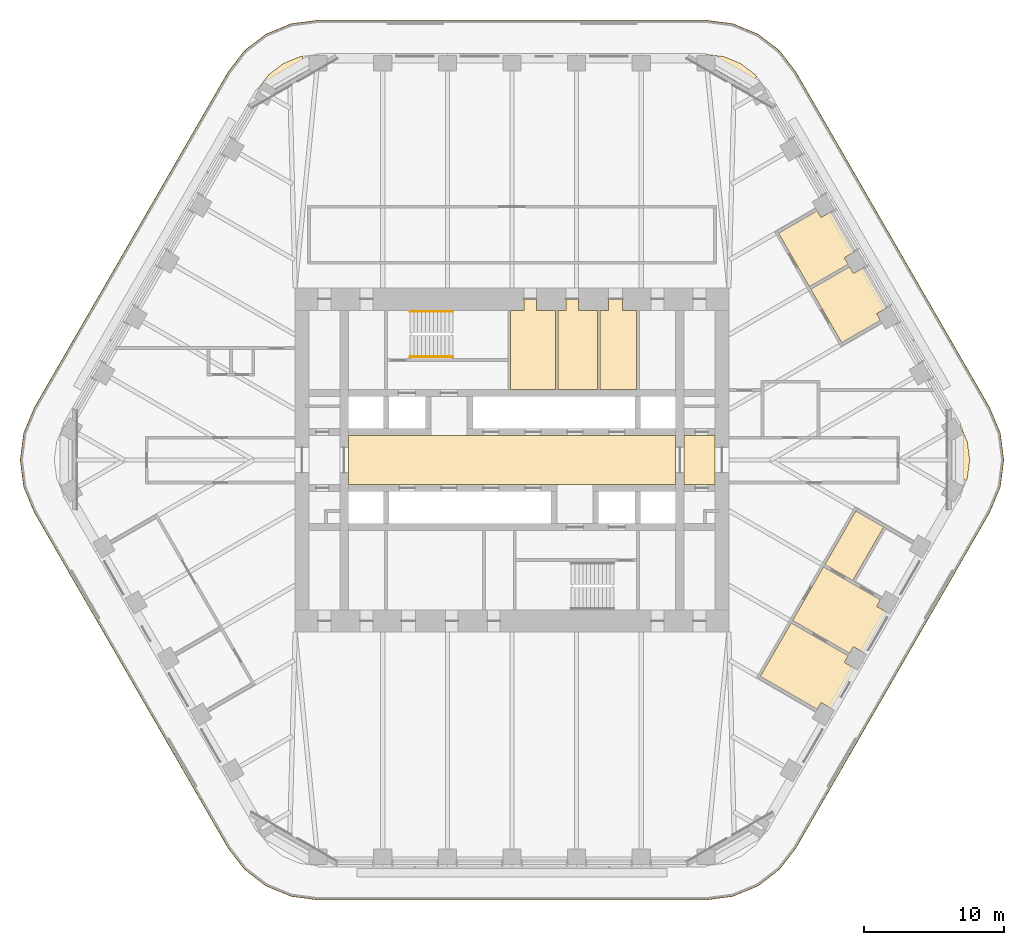
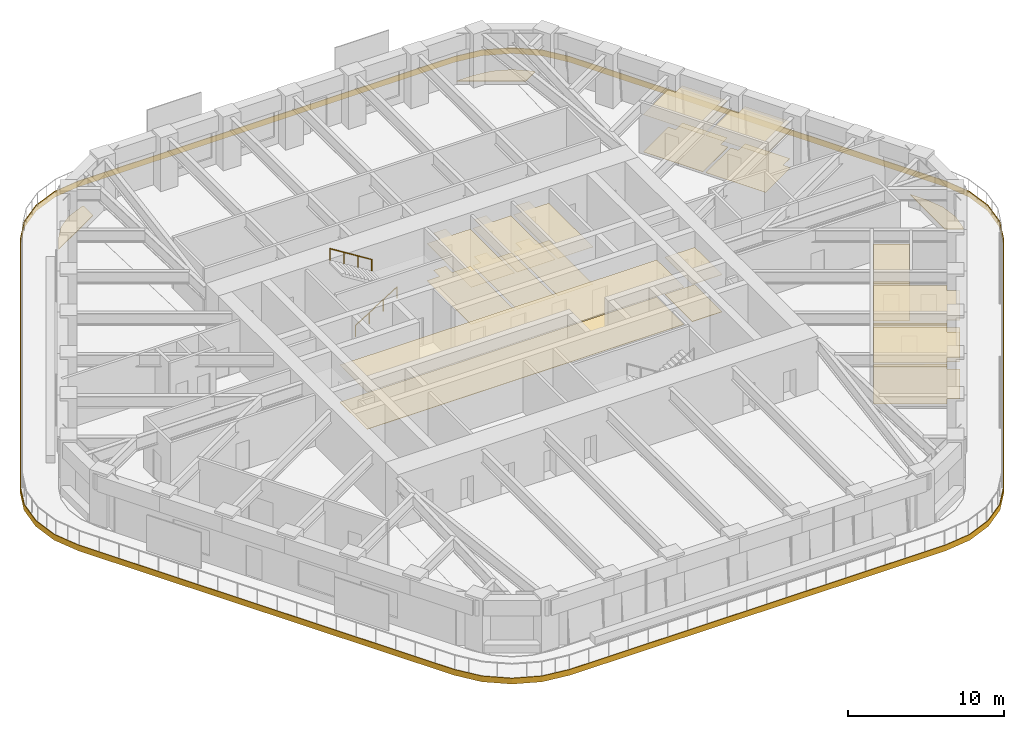
# One storey, part 19 of 20: 16 coverings, 2 railings.
"""IFC4 building model written with IfcOpenShell, lengths in metres."""

from ifc_helpers import new_model, si_unit, direction, frame, origin, origin_2d, place, context, subcontext, project, spatial, polyline, circle, outline, extrude, material, layer, layer_set, type_object, element, save


model = new_model("IFC4")

# Units and contexts
model_context = context("Model", 3, precision=1e-05, world=origin(), true_north=direction((0.0, 1.0)))
body_context = subcontext(model_context, "Body", "Model", "MODEL_VIEW")
ifc_project = project(units=[si_unit("LENGTHUNIT", "METRE"), si_unit("AREAUNIT", "SQUARE_METRE"), si_unit("VOLUMEUNIT", "CUBIC_METRE"), si_unit("PLANEANGLEUNIT", "RADIAN"), si_unit("MASSUNIT", "GRAM", prefix="KILO")], contexts=[model_context])

# Site, building, storey
site_placement = place(None, origin())
site = spatial("IfcSite", under=ifc_project, at=site_placement, CompositionType="ELEMENT")
building_placement = place(site_placement, origin())
building = spatial("IfcBuilding", under=site, at=building_placement, Name="Tarfa Lantern Tower", CompositionType="ELEMENT")
storey_placement = place(building_placement, frame((0.0, 0.0, 253.300048828125)))
storey = spatial("IfcBuildingStorey", under=building, at=storey_placement, Name="L57", CompositionType="ELEMENT", Elevation=253.300048828125)

# Coverings
ifc_material_1 = material(Name="Mineral fibre acoustic tile on suspension grid", Category="finish")
ifc_layer_1 = layer(ifc_material_1, 0.02001953125)
ifc_layer_set_1 = layer_set([ifc_layer_1], Name="CL1 ACOUSTIC TILE CEILING 20")
covering_type_1 = type_object("IfcCoveringType", Name="CL1 ACOUSTIC TILE CEILING 20", PredefinedType="CEILING", material=ifc_layer_set_1)
covering_1_placement = place(storey_placement, frame((0.0, 0.0, 2.89990234375)))
element("IfcCovering", 1, at=covering_1_placement, inside=storey, type_object=covering_type_1, Name="Ceiling L57 CL1", PredefinedType="CEILING", context=body_context, shape_type="SweptSolid", body=[
    extrude(outline(polyline([(21.354248046875, 12.21337890625), (24.12548828125, 13.8134765625), (24.400390625, 13.337158203125), (25.13671875, 13.761962890625), (26.796142578125, 10.887939453125), (26.059814453125, 10.462890625), (26.3349609375, 9.986572265625), (23.563720703125, 8.38671875), (21.354248046875, 12.21337890625)])), origin(), (0.0, 0.0, 1.0), 0.02001953125),
    extrude(outline(polyline([(19.044921875, 16.21337890625), (21.816162109375, 17.8134765625), (22.091064453125, 17.337158203125), (22.8271484375, 17.761962890625), (24.486572265625, 14.887939453125), (23.75048828125, 14.462890625), (24.025390625, 13.986572265625), (21.254150390625, 12.38671875), (19.044921875, 16.21337890625)])), origin(), (0.0, 0.0, 1.0), 0.02001953125),
    extrude(outline(polyline([(19.955078125, -11.63671875), (24.025390625, -13.986572265625), (23.75048828125, -14.462890625), (24.486572265625, -14.887939453125), (22.8271484375, -17.761962890625), (22.091064453125, -17.337158203125), (21.816162109375, -17.8134765625), (17.745849609375, -15.46337890625), (19.955078125, -11.63671875)])), origin(), (0.0, 0.0, 1.0), 0.02001953125),
    extrude(outline(polyline([(22.2646484375, -7.63671875), (26.3349609375, -9.986572265625), (26.059814453125, -10.462890625), (26.796142578125, -10.887939453125), (25.13671875, -13.761962890625), (24.400390625, -13.337158203125), (24.12548828125, -13.8134765625), (20.05517578125, -11.46337890625), (22.2646484375, -7.63671875)])), origin(), (0.0, 0.0, 1.0), 0.02001953125),
    extrude(outline(polyline([(24.573974609375, -3.63671875), (26.56591796875, -4.78662109375), (24.3564453125, -8.61328125), (22.364501953125, -7.46337890625), (24.573974609375, -3.63671875)])), origin(), (0.0, 0.0, 1.0), 0.02001953125),
])
ifc_material_2 = material(Name="Moisture-resistant plasterboard", Category="finish")
ifc_layer_2 = layer(ifc_material_2, 0.014892578125)
ifc_layer_set_2 = layer_set([ifc_layer_2], Name="CL2 MOISTURE-RESISTANT PLASTERBOARD CEILING 15")
covering_type_2 = type_object("IfcCoveringType", Name="CL2 MOISTURE-RESISTANT PLASTERBOARD CEILING 15", PredefinedType="CEILING", material=ifc_layer_set_2)
covering_2_placement = place(storey_placement, frame((0.0, 0.0, 2.89990234375)))
element("IfcCovering", 2, at=covering_2_placement, inside=storey, type_object=covering_type_2, Name="Ceiling L57-07", PredefinedType="CEILING", context=body_context, shape_type="SweptSolid", body=[
    extrude(outline(polyline([(0.85009765625, 10.699951171875), (-0.10009765625, 10.699951171875), (-0.10009765625, 5.050048828125), (3.10009765625, 5.050048828125), (3.10009765625, 10.699951171875), (1.75, 10.699951171875), (1.75, 11.5), (0.85009765625, 11.5), (0.85009765625, 10.699951171875)])), origin(), (0.0, 0.0, 1.0), 0.01513671875),
])
covering_3_placement = place(storey_placement, frame((0.0, 0.0, 2.89990234375)))
element("IfcCovering", 3, at=covering_3_placement, inside=storey, type_object=covering_type_2, Name="Ceiling L57-08", PredefinedType="CEILING", context=body_context, shape_type="SweptSolid", body=[
    extrude(outline(polyline([(3.300048828125, 5.050048828125), (6.10009765625, 5.050048828125), (6.10009765625, 10.699951171875), (4.75, 10.699951171875), (4.75, 11.5), (3.85009765625, 11.5), (3.85009765625, 10.699951171875), (3.300048828125, 10.699951171875), (3.300048828125, 5.050048828125)])), origin(), (0.0, 0.0, 1.0), 0.01513671875),
])
covering_4_placement = place(storey_placement, frame((0.0, 0.0, 2.89990234375)))
element("IfcCovering", 4, at=covering_4_placement, inside=storey, type_object=covering_type_2, Name="Ceiling L57-09", PredefinedType="CEILING", context=body_context, shape_type="SweptSolid", body=[
    extrude(outline(polyline([(6.300048828125, 5.050048828125), (8.89990234375, 5.050048828125), (8.89990234375, 10.699951171875), (7.89990234375, 10.699951171875), (7.89990234375, 11.5), (6.89990234375, 11.5), (6.89990234375, 10.699951171875), (6.300048828125, 10.699951171875), (6.300048828125, 5.050048828125)])), origin(), (0.0, 0.0, 1.0), 0.01513671875),
])
ifc_material_3 = material(Name="Powder-coated aluminium panel", Category="aluminium")
ifc_layer_3 = layer(ifc_material_3, 0.030029296875)
ifc_layer_set_3 = layer_set([ifc_layer_3], Name="CL3 METAL PANEL CEILING 30")
covering_type_3 = type_object("IfcCoveringType", Name="CL3 METAL PANEL CEILING 30", PredefinedType="CEILING", material=ifc_layer_set_3)
covering_5_placement = place(storey_placement, frame((0.0, 0.0, 2.89990234375)))
element("IfcCovering", 5, at=covering_5_placement, inside=storey, type_object=covering_type_3, Name="Ceiling L57-02", PredefinedType="CEILING", context=body_context, shape_type="SweptSolid", body=[
    extrude(outline(polyline([(-11.699951171875, -1.75), (11.699951171875, -1.75), (11.699951171875, 1.75), (-11.699951171875, 1.75), (-11.699951171875, -1.75)])), origin(), (0.0, 0.0, 1.0), 0.030029296875),
])
covering_6_placement = place(storey_placement, frame((0.0, 0.0, 2.89990234375)))
element("IfcCovering", 6, at=covering_6_placement, inside=storey, type_object=covering_type_3, Name="Ceiling L57-03", PredefinedType="CEILING", context=body_context, shape_type="SweptSolid", body=[
    extrude(outline(polyline([(12.300048828125, -1.75), (14.5, -1.75), (14.5, 1.75), (12.300048828125, 1.75), (12.300048828125, -1.75)])), origin(), (0.0, 0.0, 1.0), 0.030029296875),
])
ifc_material_4 = material(Name="Nylon carpet tile", Category="finish")
ifc_layer_4 = layer(ifc_material_4, 0.010009765625)
ifc_layer_set_4 = layer_set([ifc_layer_4], Name="FL1 CARPET TILE 10")
covering_type_4 = type_object("IfcCoveringType", Name="FL1 CARPET TILE 10", PredefinedType="FLOORING", material=ifc_layer_set_4)
covering_7_placement = place(storey_placement, origin())
element("IfcCovering", 7, at=covering_7_placement, inside=storey, type_object=covering_type_4, Name="Floor finish L57 FL1", PredefinedType="FLOORING", context=body_context, shape_type="SweptSolid", body=[
    extrude(outline(polyline([(21.354248046875, 12.21337890625), (24.12548828125, 13.8134765625), (24.400390625, 13.337158203125), (25.13671875, 13.761962890625), (26.796142578125, 10.887939453125), (26.059814453125, 10.462890625), (26.3349609375, 9.986572265625), (23.563720703125, 8.38671875), (21.354248046875, 12.21337890625)])), origin(), (0.0, 0.0, 1.0), 0.010009765625),
    extrude(outline(polyline([(19.044921875, 16.21337890625), (21.816162109375, 17.8134765625), (22.091064453125, 17.337158203125), (22.8271484375, 17.761962890625), (24.486572265625, 14.887939453125), (23.75048828125, 14.462890625), (24.025390625, 13.986572265625), (21.254150390625, 12.38671875), (19.044921875, 16.21337890625)])), origin(), (0.0, 0.0, 1.0), 0.010009765625),
    extrude(outline(polyline([(19.955078125, -11.63671875), (24.025390625, -13.986572265625), (23.75048828125, -14.462890625), (24.486572265625, -14.887939453125), (22.8271484375, -17.761962890625), (22.091064453125, -17.337158203125), (21.816162109375, -17.8134765625), (17.745849609375, -15.46337890625), (19.955078125, -11.63671875)])), origin(), (0.0, 0.0, 1.0), 0.010009765625),
    extrude(outline(polyline([(22.2646484375, -7.63671875), (26.3349609375, -9.986572265625), (26.059814453125, -10.462890625), (26.796142578125, -10.887939453125), (25.13671875, -13.761962890625), (24.400390625, -13.337158203125), (24.12548828125, -13.8134765625), (20.05517578125, -11.46337890625), (22.2646484375, -7.63671875)])), origin(), (0.0, 0.0, 1.0), 0.010009765625),
    extrude(outline(polyline([(24.573974609375, -3.63671875), (26.56591796875, -4.78662109375), (24.3564453125, -8.61328125), (22.364501953125, -7.46337890625), (24.573974609375, -3.63671875)])), origin(), (0.0, 0.0, 1.0), 0.010009765625),
])
ifc_material_5 = material(Name="Honed limestone flooring", Category="masonry")
ifc_layer_5 = layer(ifc_material_5, 0.030029296875)
ifc_layer_set_5 = layer_set([ifc_layer_5], Name="FL2 STONE FLOORING 30")
covering_type_5 = type_object("IfcCoveringType", Name="FL2 STONE FLOORING 30", PredefinedType="FLOORING", material=ifc_layer_set_5)
covering_8_placement = place(storey_placement, origin())
element("IfcCovering", 8, at=covering_8_placement, inside=storey, type_object=covering_type_5, Name="Floor finish L57-02", PredefinedType="FLOORING", context=body_context, shape_type="SweptSolid", body=[
    extrude(outline(polyline([(-11.699951171875, -1.75), (11.699951171875, -1.75), (11.699951171875, 1.75), (-11.699951171875, 1.75), (-11.699951171875, -1.75)])), origin(), (0.0, 0.0, 1.0), 0.030029296875),
])
covering_9_placement = place(storey_placement, origin())
element("IfcCovering", 9, at=covering_9_placement, inside=storey, type_object=covering_type_5, Name="Floor finish L57-03", PredefinedType="FLOORING", context=body_context, shape_type="SweptSolid", body=[
    extrude(outline(polyline([(12.300048828125, -1.75), (14.5, -1.75), (14.5, 1.75), (12.300048828125, 1.75), (12.300048828125, -1.75)])), origin(), (0.0, 0.0, 1.0), 0.030029296875),
])
ifc_material_6 = material(Name="Porcelain floor tile", Category="finish")
ifc_layer_6 = layer(ifc_material_6, 0.011962890625)
ifc_layer_set_6 = layer_set([ifc_layer_6], Name="FL3 CERAMIC TILE 12")
covering_type_6 = type_object("IfcCoveringType", Name="FL3 CERAMIC TILE 12", PredefinedType="FLOORING", material=ifc_layer_set_6)
covering_10_placement = place(storey_placement, origin())
element("IfcCovering", 10, at=covering_10_placement, inside=storey, type_object=covering_type_6, Name="Floor finish L57-07", PredefinedType="FLOORING", context=body_context, shape_type="SweptSolid", body=[
    extrude(outline(polyline([(0.85009765625, 10.699951171875), (-0.10009765625, 10.699951171875), (-0.10009765625, 5.050048828125), (3.10009765625, 5.050048828125), (3.10009765625, 10.699951171875), (1.75, 10.699951171875), (1.75, 11.5), (0.85009765625, 11.5), (0.85009765625, 10.699951171875)])), origin(), (0.0, 0.0, 1.0), 0.011962890625),
])
covering_11_placement = place(storey_placement, origin())
element("IfcCovering", 11, at=covering_11_placement, inside=storey, type_object=covering_type_6, Name="Floor finish L57-08", PredefinedType="FLOORING", context=body_context, shape_type="SweptSolid", body=[
    extrude(outline(polyline([(3.300048828125, 5.050048828125), (6.10009765625, 5.050048828125), (6.10009765625, 10.699951171875), (4.75, 10.699951171875), (4.75, 11.5), (3.85009765625, 11.5), (3.85009765625, 10.699951171875), (3.300048828125, 10.699951171875), (3.300048828125, 5.050048828125)])), origin(), (0.0, 0.0, 1.0), 0.011962890625),
])
covering_12_placement = place(storey_placement, origin())
element("IfcCovering", 12, at=covering_12_placement, inside=storey, type_object=covering_type_6, Name="Floor finish L57-09", PredefinedType="FLOORING", context=body_context, shape_type="SweptSolid", body=[
    extrude(outline(polyline([(6.300048828125, 5.050048828125), (8.89990234375, 5.050048828125), (8.89990234375, 10.699951171875), (7.89990234375, 10.699951171875), (7.89990234375, 11.5), (6.89990234375, 11.5), (6.89990234375, 10.699951171875), (6.300048828125, 10.699951171875), (6.300048828125, 5.050048828125)])), origin(), (0.0, 0.0, 1.0), 0.011962890625),
])

# Railings
ifc_material_7 = material(Name="Stainless steel", Category="steel")
railing_type = type_object("IfcRailingType", Name="HR1 HANDRAIL 900", PredefinedType="HANDRAIL", material=ifc_material_7)
railing_1_placement = place(storey_placement, frame((-7.300048828125, 7.3798828125, 0.175048828125)))
element("IfcRailing", 13, at=railing_1_placement, inside=storey, type_object=railing_type, Name="Handrail 1", PredefinedType="HANDRAIL", context=body_context, shape_type="SweptSolid", body=[
    extrude(circle(Radius=0.02392578125, at=origin_2d()), frame((0.0, 0.0, 0.8759765625), z_axis=(0.848028513186, 0.0, 0.529950602248), x_axis=(0.0, 1.0, 0.0)), (0.0, 0.0, 1.0), 3.632080078125),
    extrude(circle(Radius=0.02099609375, at=origin_2d()), frame((0.0, 0.0, 0.0), z_axis=(0.0, 0.0, 1.0), x_axis=(0.0, 1.0, 0.0)), (0.0, 0.0, 1.0), 0.851806640625),
    extrude(circle(Radius=0.02099609375, at=origin_2d()), frame((1.026611328125, 0.0, 0.6416015625), z_axis=(0.0, 0.0, 1.0), x_axis=(0.0, 1.0, 0.0)), (0.0, 0.0, 1.0), 0.851806640625),
    extrude(circle(Radius=0.02099609375, at=origin_2d()), frame((2.053466796875, 0.0, 1.283203125), z_axis=(0.0, 0.0, 1.0), x_axis=(0.0, 1.0, 0.0)), (0.0, 0.0, 1.0), 0.851806640625),
    extrude(circle(Radius=0.02099609375, at=origin_2d()), frame((3.080078125, 0.0, 1.9248046875), z_axis=(0.0, 0.0, 1.0), x_axis=(0.0, 1.0, 0.0)), (0.0, 0.0, 1.0), 0.851806640625),
])
railing_2_placement = place(storey_placement, frame((-4.219970703125, 10.6201171875, 2.27490234375)))
element("IfcRailing", 14, at=railing_2_placement, inside=storey, type_object=railing_type, Name="Handrail 2", PredefinedType="HANDRAIL", context=body_context, shape_type="SweptSolid", body=[
    extrude(circle(Radius=0.02392578125, at=origin_2d()), frame((0.0, 0.0, 0.8759765625), z_axis=(-0.847998304005, 0.0, 0.529998940003), x_axis=(0.0, -1.0, 0.0)), (0.0, 0.0, 1.0), 3.632080078125),
    extrude(circle(Radius=0.02099609375, at=origin_2d()), frame((0.0, 0.0, 0.0), z_axis=(0.0, 0.0, 1.0), x_axis=(0.0, -1.0, 0.0)), (0.0, 0.0, 1.0), 0.851806640625),
    extrude(circle(Radius=0.02099609375, at=origin_2d()), frame((-1.026611328125, 0.0, 0.6416015625), z_axis=(0.0, 0.0, 1.0), x_axis=(0.0, -1.0, 0.0)), (0.0, 0.0, 1.0), 0.851806640625),
    extrude(circle(Radius=0.02099609375, at=origin_2d()), frame((-2.053466796875, 0.0, 1.283447265625), z_axis=(0.0, 0.0, 1.0), x_axis=(0.0, -1.0, 0.0)), (0.0, 0.0, 1.0), 0.851806640625),
    extrude(circle(Radius=0.02099609375, at=origin_2d()), frame((-3.080078125, 0.0, 1.925048828125), z_axis=(0.0, 0.0, 1.0), x_axis=(0.0, -1.0, 0.0)), (0.0, 0.0, 1.0), 0.851806640625),
])

# Coverings
ifc_material_8 = material(Name="Porcelain pavers on pedestals", Category="ceramic")
ifc_layer_7 = layer(ifc_material_8, 0.0400390625)
ifc_layer_set_7 = layer_set([ifc_layer_7], Name="LP1 LOGGIA PAVING 40")
covering_type_7 = type_object("IfcCoveringType", Name="LP1 LOGGIA PAVING 40", PredefinedType="FLOORING", material=ifc_layer_set_7)
covering_13_placement = place(storey_placement, origin())
element("IfcCovering", 15, at=covering_13_placement, inside=storey, type_object=covering_type_7, Name="Sky garden paving NE-N", PredefinedType="FLOORING", context=body_context, shape_type="SweptSolid", body=[
    extrude(outline(polyline([(15.150390625, 28.82958984375), (16.3564453125, 28.330078125), (17.391845703125, 27.53564453125), (17.51123046875, 27.380126953125), (16.4765625, 26.782958984375), (12.641357421875, 28.997314453125), (12.64306640625, 29.0), (13.8564453125, 29.0), (15.150390625, 28.82958984375)])), origin(), (0.0, 0.0, 1.0), 0.0400390625),
])
covering_14_placement = place(storey_placement, origin())
element("IfcCovering", 16, at=covering_14_placement, inside=storey, type_object=covering_type_7, Name="Sky garden paving N-NW", PredefinedType="FLOORING", context=body_context, shape_type="SweptSolid", body=[
    extrude(outline(polyline([(-17.391845703125, 27.53564453125), (-16.3564453125, 28.330078125), (-15.150390625, 28.82958984375), (-14.956298828125, 28.855224609375), (-14.956298828125, 27.66064453125), (-18.791748046875, 25.4462890625), (-18.793212890625, 25.44921875), (-18.1865234375, 26.5), (-17.391845703125, 27.53564453125)])), origin(), (0.0, 0.0, 1.0), 0.0400390625),
])
covering_15_placement = place(storey_placement, origin())
element("IfcCovering", 17, at=covering_15_placement, inside=storey, type_object=covering_type_7, Name="Sky garden paving SE-NE", PredefinedType="FLOORING", context=body_context, shape_type="SweptSolid", body=[
    extrude(outline(polyline([(32.54248046875, 1.294189453125), (32.712890625, 0.0), (32.54248046875, -1.294189453125), (32.467529296875, -1.474853515625), (31.43310546875, -0.877685546875), (31.43310546875, 3.55078125), (31.436279296875, 3.55078125), (32.04296875, 2.5), (32.54248046875, 1.294189453125)])), origin(), (0.0, 0.0, 1.0), 0.0400390625),
])
ifc_material_9 = material(Name="Limestone cladding on brackets", Category="masonry")
ifc_layer_8 = layer(ifc_material_9, 0.050048828125)
ifc_layer_set_8 = layer_set([ifc_layer_8], Name="SB1 STONE BAND CLADDING 50")
covering_type_8 = type_object("IfcCoveringType", Name="SB1 STONE BAND CLADDING 50", PredefinedType="CLADDING", material=ifc_layer_set_8)
covering_16_placement = place(storey_placement, frame((0.0, 0.0, -0.400146484375)))
element("IfcCovering", 18, at=covering_16_placement, inside=storey, type_object=covering_type_8, Name="Stone band", PredefinedType="CLADDING", context=body_context, shape_type="SweptSolid", body=[
    extrude(outline(polyline([(34.164794921875, 3.72509765625), (20.308349609375, 27.72509765625), (19.124267578125, 29.26806640625), (17.581298828125, 30.451904296875), (15.78466796875, 31.196044921875), (13.8564453125, 31.449951171875), (-13.8564453125, 31.449951171875), (-15.78466796875, 31.196044921875), (-17.581298828125, 30.451904296875), (-19.124267578125, 29.26806640625), (-20.308349609375, 27.72509765625), (-34.164794921875, 3.72509765625), (-34.908935546875, 1.92822265625), (-35.162841796875, 0.0), (-34.908935546875, -1.92822265625), (-34.164794921875, -3.72509765625), (-20.308349609375, -27.72509765625), (-19.124267578125, -29.26806640625), (-17.581298828125, -30.451904296875), (-15.78466796875, -31.196044921875), (-13.8564453125, -31.449951171875), (13.8564453125, -31.449951171875), (15.78466796875, -31.196044921875), (17.581298828125, -30.451904296875), (19.124267578125, -29.26806640625), (20.308349609375, -27.72509765625), (34.164794921875, -3.72509765625), (34.908935546875, -1.92822265625), (35.162841796875, 0.0), (34.908935546875, 1.92822265625), (34.164794921875, 3.72509765625)]), holes=[polyline([(34.121337890625, 3.699951171875), (20.264892578125, 27.699951171875), (19.089111328125, 29.232666015625), (17.556396484375, 30.40869140625), (15.771728515625, 31.14794921875), (13.8564453125, 31.39990234375), (-13.8564453125, 31.39990234375), (-15.771728515625, 31.14794921875), (-17.556396484375, 30.40869140625), (-19.089111328125, 29.232666015625), (-20.264892578125, 27.699951171875), (-34.121337890625, 3.699951171875), (-34.860595703125, 1.915283203125), (-35.11279296875, 0.0), (-34.860595703125, -1.915283203125), (-34.121337890625, -3.699951171875), (-20.264892578125, -27.699951171875), (-19.089111328125, -29.232666015625), (-17.556396484375, -30.40869140625), (-15.771728515625, -31.14794921875), (-13.8564453125, -31.39990234375), (13.8564453125, -31.39990234375), (15.771728515625, -31.14794921875), (17.556396484375, -30.40869140625), (19.089111328125, -29.232666015625), (20.264892578125, -27.699951171875), (34.121337890625, -3.699951171875), (34.860595703125, -1.915283203125), (35.11279296875, 0.0), (34.860595703125, 1.915283203125), (34.121337890625, 3.699951171875)])]), origin(), (0.0, 0.0, 1.0), 0.4501953125),
])

save(model, "model.ifc")
